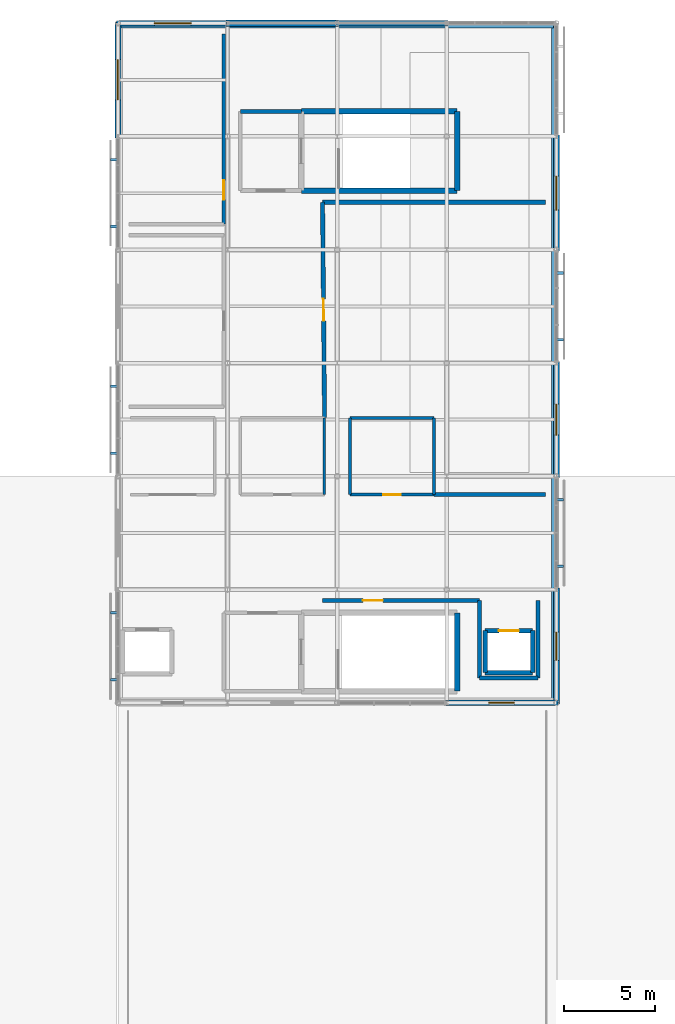
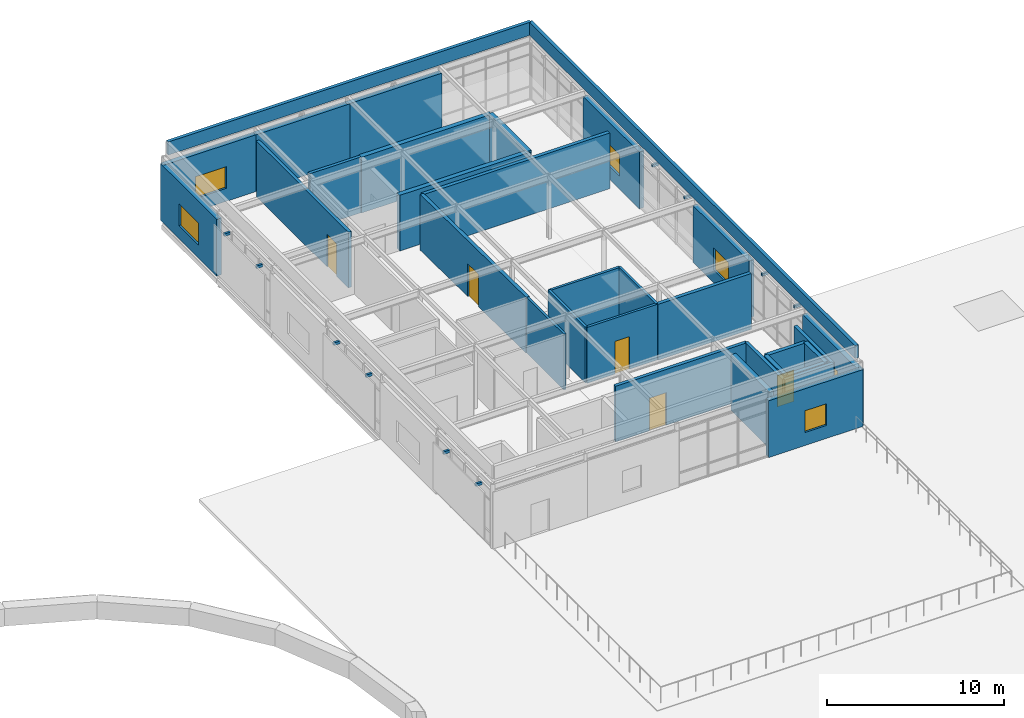
# One storey, part 14 of 16: 32 walls, 10 discrete accessories, 6 windows, 5 doors, 11 openings.
"""IFC4 building model written with IfcOpenShell, lengths in metres."""

from ifc_helpers import new_model, si_unit, direction, frame, frame_2d, origin, origin_2d, place, context, subcontext, project, spatial, rectangle, extrude, material, layer, layer_set, type_object, element, fill, save


model = new_model("IFC4")

# Units and contexts
model_context = context("Model", 3, precision=1e-05, world=origin(), true_north=direction((0.0, 1.0)))
body_context = subcontext(model_context, "Body", "Model", "MODEL_VIEW")
ifc_project = project(units=[si_unit("LENGTHUNIT", "METRE"), si_unit("AREAUNIT", "SQUARE_METRE"), si_unit("VOLUMEUNIT", "CUBIC_METRE"), si_unit("PLANEANGLEUNIT", "RADIAN"), si_unit("MASSUNIT", "GRAM", prefix="KILO")], contexts=[model_context])

# Site, building, storey
site_placement = place(None, origin())
site = spatial("IfcSite", under=ifc_project, at=site_placement, CompositionType="ELEMENT")
building_placement = place(site_placement, origin())
building = spatial("IfcBuilding", under=site, at=building_placement, Name="Mirzam Square Science Centre", CompositionType="ELEMENT")
storey_placement = place(building_placement, frame((0.0, 0.0, 25.199951171875)))
storey = spatial("IfcBuildingStorey", under=building, at=storey_placement, Name="L05", CompositionType="ELEMENT", Elevation=25.199951171875)

# Walls
ifc_material_1 = material(Name="Concrete C45/55", Category="concrete")
ifc_layer_1 = layer(ifc_material_1, 0.300048828125)
ifc_layer_set_1 = layer_set([ifc_layer_1], Name="W-CORE-300")
wall_type_1 = type_object("IfcWallType", Name="W-CORE-300", PredefinedType="SHEAR", material=ifc_layer_set_1)
wall_1_placement = place(storey_placement, frame((132.56005859375, 75.0400390625, 0.0), z_axis=(0.0, 0.0, 1.0), x_axis=(0.0, 1.0, 0.0)))
element("IfcWall", 1, at=wall_1_placement, inside=storey, type_object=wall_type_1, Name="L05 CORE-4 east wall", PredefinedType="SHEAR", context=body_context, shape_type="SweptSolid", body=[
    extrude(rectangle(XDim=4.2900390625, YDim=0.300048828125, at=frame_2d((2.14501953125, 0.0))), origin(), (0.0, 0.0, 1.0), 3.85009765625),
])
for number, where, z_axis, x_axis, name in (
    (2, (124.0400390625, 102.43994140625, 0.0), (0.0, 0.0, 1.0), (1.0, 0.0, 0.0), "L05 CORE-7 south wall"),
    (3, (132.56005859375, 106.77001953125, 0.0), (0.0, 0.0, 1.0), (-1.0, 0.0, 0.0), "L05 CORE-7 north wall"),
):
    element("IfcWall", number, at=place(storey_placement, frame(where, z_axis=z_axis, x_axis=x_axis)), inside=storey, type_object=wall_type_1, Name=name, PredefinedType="SHEAR", context=body_context, shape_type="SweptSolid", body=[
        extrude(rectangle(XDim=8.52001953125, YDim=0.300048828125, at=frame_2d((4.260009765625, 0.0))), origin(), (0.0, 0.0, 1.0), 3.85009765625),
    ])
wall_2_placement = place(storey_placement, frame((132.56005859375, 102.43994140625, 0.0), z_axis=(0.0, 0.0, 1.0), x_axis=(0.0, 1.0, 0.0)))
element("IfcWall", 4, at=wall_2_placement, inside=storey, type_object=wall_type_1, Name="L05 CORE-7 east wall", PredefinedType="SHEAR", context=body_context, shape_type="SweptSolid", body=[
    extrude(rectangle(XDim=4.330078125, YDim=0.300048828125, at=frame_2d((2.1650390625, 0.0))), origin(), (0.0, 0.0, 1.0), 3.85009765625),
])
ifc_material_2 = material(Name="Standing-Seam Zinc-Clad Concrete Backup C40/50", Category="concrete")
ifc_layer_2 = layer(ifc_material_2, 0.35009765625)
ifc_layer_set_2 = layer_set([ifc_layer_2], Name="W-EXT-METAL-350")
wall_type_2 = type_object("IfcWallType", Name="W-EXT-METAL-350", PredefinedType="SOLIDWALL", material=ifc_layer_set_2)
wall_3_placement = place(storey_placement, frame((126.074951171875, 111.60009765625, 0.0), z_axis=(0.0, 0.0, 1.0), x_axis=(-1.0, 0.0, 0.0)))
element("IfcWall", 5, at=wall_3_placement, inside=storey, type_object=wall_type_2, Name="L05 external wall EW-EST-N-L05-03", PredefinedType="SOLIDWALL", context=body_context, shape_type="SweptSolid", body=[
    extrude(rectangle(XDim=6.14990234375, YDim=0.35009765625, at=frame_2d((3.074951171875, 0.0))), origin(), (0.0, 0.0, 1.0), 3.920166015625),
])

# Wall, opening, window
ifc_material_3 = material(Name="Insulated Observatory Cladding Concrete C40/50", Category="concrete")
ifc_layer_3 = layer(ifc_material_3, 0.31494140625)
ifc_layer_set_3 = layer_set([ifc_layer_3], Name="W-EXT-OBS-315")
wall_type_3 = type_object("IfcWallType", Name="W-EXT-OBS-315", PredefinedType="SOLIDWALL", material=ifc_layer_set_3)
wall_4_placement = place(storey_placement, frame((131.925048828125, 74.39990234375, 0.0), z_axis=(0.0, 0.0, 1.0), x_axis=(1.0, 0.0, 0.0)))
wall_4 = element("IfcWall", 6, at=wall_4_placement, inside=storey, type_object=wall_type_3, Name="L05 external wall EW-EST-S-L05-04", PredefinedType="SOLIDWALL", context=body_context, shape_type="SweptSolid", body=[
    extrude(rectangle(XDim=6.14990234375, YDim=0.31494140625, at=frame_2d((3.074951171875, 0.0))), origin(), (0.0, 0.0, 1.0), 3.920166015625),
])
opening_1_placement = place(wall_4_placement, frame((2.375, 0.0, 0.89990234375)))
opening_1 = element("IfcOpeningElement", 7, at=opening_1_placement, cuts=wall_4, Name="Opening W-14", PredefinedType="OPENING", context=body_context, shape_type="SweptSolid", body=[
    extrude(rectangle(XDim=1.39990234375, YDim=1.5, at=frame_2d((0.699951171875, 0.75))), frame((0.0, 0.16748046875, 0.0), z_axis=(0.0, -1.0, 0.0), x_axis=(1.0, 0.0, 0.0)), (0.0, 0.0, 1.0), 0.3349609375),
])
ifc_material_4 = material(Name="Thermally Broken Bronze Aluminium and Low-E Glass", Category="aluminium")
window_type_1 = type_object("IfcWindowType", Name="WIN-1400x1500", PartitioningType="SINGLE_PANEL", PredefinedType="WINDOW", material=ifc_material_4)
window_1_placement = place(opening_1_placement, origin())
window_1 = element("IfcWindow", 8, at=window_1_placement, inside=storey, type_object=window_type_1, Name="L05 solar window 102", OverallHeight=1.5, OverallWidth=1.39990234375, PartitioningType="SINGLE_PANEL", PredefinedType="WINDOW", context=body_context, shape_type="SweptSolid", body=[
    extrude(rectangle(XDim=1.39990234375, YDim=1.5, at=frame_2d((0.699951171875, 0.75))), frame((0.0, 0.030029296875, 0.0), z_axis=(0.0, -1.0, 0.0), x_axis=(1.0, 0.0, 0.0)), (0.0, 0.0, 1.0), 0.06005859375),
])
fill(opening_1, window_1)

wall_5_placement = place(storey_placement, frame((138.0, 74.324951171875, 0.0), z_axis=(0.0, 0.0, 1.0), x_axis=(0.0, 1.0, 0.0)))
wall_5 = element("IfcWall", 9, at=wall_5_placement, inside=storey, type_object=wall_type_3, Name="L05 external wall EW-EST-E-L05-01", PredefinedType="SOLIDWALL", context=body_context, shape_type="SweptSolid", body=[
    extrude(rectangle(XDim=6.35009765625, YDim=0.31494140625, at=frame_2d((3.175048828125, 0.0))), origin(), (0.0, 0.0, 1.0), 3.920166015625),
])
opening_2_placement = place(wall_5_placement, frame((2.39990234375, 0.0, 0.89990234375)))
opening_2 = element("IfcOpeningElement", 10, at=opening_2_placement, cuts=wall_5, Name="Opening W-15", PredefinedType="OPENING", context=body_context, shape_type="SweptSolid", body=[
    extrude(rectangle(XDim=1.550048828125, YDim=1.5, at=frame_2d((0.77490234375, 0.75))), frame((0.0, 0.16748046875, 0.0), z_axis=(0.0, -1.0, 0.0), x_axis=(1.0, 0.0, 0.0)), (0.0, 0.0, 1.0), 0.3349609375),
])
window_type_2 = type_object("IfcWindowType", Name="WIN-1550x1500", PartitioningType="SINGLE_PANEL", PredefinedType="WINDOW", material=ifc_material_4)
window_2_placement = place(opening_2_placement, origin())
window_2 = element("IfcWindow", 11, at=window_2_placement, inside=storey, type_object=window_type_2, Name="L05 solar window 103", OverallHeight=1.5, OverallWidth=1.550048828125, PartitioningType="SINGLE_PANEL", PredefinedType="WINDOW", context=body_context, shape_type="SweptSolid", body=[
    extrude(rectangle(XDim=1.550048828125, YDim=1.5, at=frame_2d((0.77490234375, 0.75))), frame((0.0, 0.030029296875, 0.0), z_axis=(0.0, -1.0, 0.0), x_axis=(1.0, 0.0, 0.0)), (0.0, 0.0, 1.0), 0.06005859375),
])
fill(opening_2, window_2)

wall_6_placement = place(storey_placement, frame((138.0, 86.72509765625, 0.0), z_axis=(0.0, 0.0, 1.0), x_axis=(0.0, 1.0, 0.0)))
wall_6 = element("IfcWall", 12, at=wall_6_placement, inside=storey, type_object=wall_type_3, Name="L05 external wall EW-EST-E-L05-03", PredefinedType="SOLIDWALL", context=body_context, shape_type="SweptSolid", body=[
    extrude(rectangle(XDim=6.349853515625, YDim=0.31494140625, at=frame_2d((3.1748046875, 0.0))), origin(), (0.0, 0.0, 1.0), 3.920166015625),
])
opening_3_placement = place(wall_6_placement, frame((2.324951171875, 0.0, 0.89990234375)))
opening_3 = element("IfcOpeningElement", 13, at=opening_3_placement, cuts=wall_6, Name="Opening W-16", PredefinedType="OPENING", context=body_context, shape_type="SweptSolid", body=[
    extrude(rectangle(XDim=1.699951171875, YDim=1.5, at=frame_2d((0.85009765625, 0.75))), frame((0.0, 0.16748046875, 0.0), z_axis=(0.0, -1.0, 0.0), x_axis=(1.0, 0.0, 0.0)), (0.0, 0.0, 1.0), 0.3349609375),
])
window_type_3 = type_object("IfcWindowType", Name="WIN-1700x1500", PartitioningType="SINGLE_PANEL", PredefinedType="WINDOW", material=ifc_material_4)
window_3_placement = place(opening_3_placement, origin())
window_3 = element("IfcWindow", 14, at=window_3_placement, inside=storey, type_object=window_type_3, Name="L05 solar window 104", OverallHeight=1.5, OverallWidth=1.699951171875, PartitioningType="SINGLE_PANEL", PredefinedType="WINDOW", context=body_context, shape_type="SweptSolid", body=[
    extrude(rectangle(XDim=1.699951171875, YDim=1.5, at=frame_2d((0.85009765625, 0.75))), frame((0.0, 0.030029296875, 0.0), z_axis=(0.0, -1.0, 0.0), x_axis=(1.0, 0.0, 0.0)), (0.0, 0.0, 1.0), 0.06005859375),
])
fill(opening_3, window_3)

wall_7_placement = place(storey_placement, frame((138.0, 99.125, 0.0), z_axis=(0.0, 0.0, 1.0), x_axis=(0.0, 1.0, 0.0)))
wall_7 = element("IfcWall", 15, at=wall_7_placement, inside=storey, type_object=wall_type_3, Name="L05 external wall EW-EST-E-L05-05", PredefinedType="SOLIDWALL", context=body_context, shape_type="SweptSolid", body=[
    extrude(rectangle(XDim=6.35009765625, YDim=0.31494140625, at=frame_2d((3.175048828125, 0.0))), origin(), (0.0, 0.0, 1.0), 3.920166015625),
])
opening_4_placement = place(wall_7_placement, frame((2.25, 0.0, 0.89990234375)))
opening_4 = element("IfcOpeningElement", 16, at=opening_4_placement, cuts=wall_7, Name="Opening W-17", PredefinedType="OPENING", context=body_context, shape_type="SweptSolid", body=[
    extrude(rectangle(XDim=1.85009765625, YDim=1.5, at=frame_2d((0.925048828125, 0.75))), frame((0.0, 0.16748046875, 0.0), z_axis=(0.0, -1.0, 0.0), x_axis=(1.0, 0.0, 0.0)), (0.0, 0.0, 1.0), 0.3349609375),
])
window_type_4 = type_object("IfcWindowType", Name="WIN-1850x1500", PartitioningType="DOUBLE_PANEL_VERTICAL", PredefinedType="WINDOW", material=ifc_material_4)
window_4_placement = place(opening_4_placement, origin())
window_4 = element("IfcWindow", 17, at=window_4_placement, inside=storey, type_object=window_type_4, Name="L05 solar window 105", OverallHeight=1.5, OverallWidth=1.85009765625, PartitioningType="DOUBLE_PANEL_VERTICAL", PredefinedType="WINDOW", context=body_context, shape_type="SweptSolid", body=[
    extrude(rectangle(XDim=1.85009765625, YDim=1.5, at=frame_2d((0.925048828125, 0.75))), frame((0.0, 0.030029296875, 0.0), z_axis=(0.0, -1.0, 0.0), x_axis=(1.0, 0.0, 0.0)), (0.0, 0.0, 1.0), 0.06005859375),
])
fill(opening_4, window_4)

# Wall
wall_8_placement = place(storey_placement, frame((132.074951171875, 111.60009765625, 0.0), z_axis=(0.0, 0.0, 1.0), x_axis=(-1.0, 0.0, 0.0)))
element("IfcWall", 18, at=wall_8_placement, inside=storey, type_object=wall_type_3, Name="L05 external wall EW-EST-N-L05-02", PredefinedType="SOLIDWALL", context=body_context, shape_type="SweptSolid", body=[
    extrude(rectangle(XDim=6.14990234375, YDim=0.31494140625, at=frame_2d((3.074951171875, 0.0))), origin(), (0.0, 0.0, 1.0), 3.920166015625),
])

# Wall, opening, window
wall_9_placement = place(storey_placement, frame((120.074951171875, 111.60009765625, 0.0), z_axis=(0.0, 0.0, 1.0), x_axis=(-1.0, 0.0, 0.0)))
wall_9 = element("IfcWall", 19, at=wall_9_placement, inside=storey, type_object=wall_type_3, Name="L05 external wall EW-EST-N-L05-04", PredefinedType="SOLIDWALL", context=body_context, shape_type="SweptSolid", body=[
    extrude(rectangle(XDim=6.14990234375, YDim=0.31494140625, at=frame_2d((3.074951171875, 0.0))), origin(), (0.0, 0.0, 1.0), 3.920166015625),
])
opening_5_placement = place(wall_9_placement, frame((2.074951171875, 0.0, 0.89990234375)))
opening_5 = element("IfcOpeningElement", 20, at=opening_5_placement, cuts=wall_9, Name="Opening W-18", PredefinedType="OPENING", context=body_context, shape_type="SweptSolid", body=[
    extrude(rectangle(XDim=2.0, YDim=1.5, at=frame_2d((1.0, 0.75))), frame((0.0, 0.16748046875, 0.0), z_axis=(0.0, -1.0, 0.0), x_axis=(1.0, 0.0, 0.0)), (0.0, 0.0, 1.0), 0.3349609375),
])
window_type_5 = type_object("IfcWindowType", Name="WIN-2000x1500", PartitioningType="DOUBLE_PANEL_VERTICAL", PredefinedType="WINDOW", material=ifc_material_4)
window_5_placement = place(opening_5_placement, origin())
window_5 = element("IfcWindow", 21, at=window_5_placement, inside=storey, type_object=window_type_5, Name="L05 solar window 106", OverallHeight=1.5, OverallWidth=2.0, PartitioningType="DOUBLE_PANEL_VERTICAL", PredefinedType="WINDOW", context=body_context, shape_type="SweptSolid", body=[
    extrude(rectangle(XDim=2.0, YDim=1.5, at=frame_2d((1.0, 0.75))), frame((0.0, 0.030029296875, 0.0), z_axis=(0.0, -1.0, 0.0), x_axis=(1.0, 0.0, 0.0)), (0.0, 0.0, 1.0), 0.06005859375),
])
fill(opening_5, window_5)

wall_10_placement = place(storey_placement, frame((114.0, 111.675048828125, 0.0), z_axis=(0.0, 0.0, 1.0), x_axis=(0.0, -1.0, 0.0)))
wall_10 = element("IfcWall", 22, at=wall_10_placement, inside=storey, type_object=wall_type_3, Name="L05 external wall EW-EST-W-L05-01", PredefinedType="SOLIDWALL", context=body_context, shape_type="SweptSolid", body=[
    extrude(rectangle(XDim=6.35009765625, YDim=0.31494140625, at=frame_2d((3.175048828125, 0.0))), origin(), (0.0, 0.0, 1.0), 3.920166015625),
])
opening_6_placement = place(wall_10_placement, frame((2.074951171875, 0.0, 0.89990234375)))
opening_6 = element("IfcOpeningElement", 23, at=opening_6_placement, cuts=wall_10, Name="Opening W-19", PredefinedType="OPENING", context=body_context, shape_type="SweptSolid", body=[
    extrude(rectangle(XDim=2.199951171875, YDim=1.5, at=frame_2d((1.10009765625, 0.75))), frame((0.0, 0.16748046875, 0.0), z_axis=(0.0, -1.0, 0.0), x_axis=(1.0, 0.0, 0.0)), (0.0, 0.0, 1.0), 0.3349609375),
])
window_type_6 = type_object("IfcWindowType", Name="WIN-2200x1500", PartitioningType="DOUBLE_PANEL_VERTICAL", PredefinedType="WINDOW", material=ifc_material_4)
window_6_placement = place(opening_6_placement, origin())
window_6 = element("IfcWindow", 24, at=window_6_placement, inside=storey, type_object=window_type_6, Name="L05 solar window 107", OverallHeight=1.5, OverallWidth=2.199951171875, PartitioningType="DOUBLE_PANEL_VERTICAL", PredefinedType="WINDOW", context=body_context, shape_type="SweptSolid", body=[
    extrude(rectangle(XDim=2.199951171875, YDim=1.5, at=frame_2d((1.10009765625, 0.75))), frame((0.0, 0.030029296875, 0.0), z_axis=(0.0, -1.0, 0.0), x_axis=(1.0, 0.0, 0.0)), (0.0, 0.0, 1.0), 0.06005859375),
])
fill(opening_6, window_6)

# Walls
ifc_layer_4 = layer(ifc_material_1, 0.199951171875)
ifc_layer_set_4 = layer_set([ifc_layer_4], Name="W-LOBBY-200")
wall_type_4 = type_object("IfcWallType", Name="W-LOBBY-200", PredefinedType="SHEAR", material=ifc_layer_set_4)
wall_11_placement = place(storey_placement, frame((124.0400390625, 106.77001953125, 0.0), z_axis=(0.0, 0.0, 1.0), x_axis=(-1.0, 0.0, 0.0)))
element("IfcWall", 25, at=wall_11_placement, inside=storey, type_object=wall_type_4, Name="L05 CORE-7 lobby north wall", PredefinedType="SHEAR", context=body_context, shape_type="SweptSolid", body=[
    extrude(rectangle(XDim=3.340087890625, YDim=0.199951171875, at=frame_2d((1.669921875, 0.0))), origin(), (0.0, 0.0, 1.0), 3.85009765625),
])
ifc_material_5 = material(Name="GFRC Coping Parapet Concrete C40/50", Category="concrete")
ifc_layer_5 = layer(ifc_material_5, 0.2099609375)
ifc_layer_set_5 = layer_set([ifc_layer_5], Name="W-PARAPET-210")
wall_type_5 = type_object("IfcWallType", Name="W-PARAPET-210", PredefinedType="PARAPET", material=ifc_layer_set_5)
wall_12_placement = place(storey_placement, frame((137.85009765625, 74.550048828125, 4.60009765625), z_axis=(0.0, 0.0, 1.0), x_axis=(0.0, 1.0, 0.0)))
element("IfcWall", 26, at=wall_12_placement, inside=storey, type_object=wall_type_5, Name="OBS-ROOF perimeter parapet 2", PredefinedType="PARAPET", context=body_context, shape_type="SweptSolid", body=[
    extrude(rectangle(XDim=36.89990234375, YDim=0.2099609375, at=frame_2d((18.449951171875, 0.0))), origin(), (0.0, 0.0, 1.0), 0.89990234375),
])
wall_13_placement = place(storey_placement, frame((137.85009765625, 111.449951171875, 4.60009765625), z_axis=(0.0, 0.0, 1.0), x_axis=(-1.0, 0.0, 0.0)))
element("IfcWall", 27, at=wall_13_placement, inside=storey, type_object=wall_type_5, Name="OBS-ROOF perimeter parapet 3", PredefinedType="PARAPET", context=body_context, shape_type="SweptSolid", body=[
    extrude(rectangle(XDim=23.7001953125, YDim=0.2099609375, at=frame_2d((11.85009765625, 0.0))), origin(), (0.0, 0.0, 1.0), 0.89990234375),
])
ifc_material_6 = material(Name="Laboratory Acoustic Partition", Category="gypsum")
ifc_layer_6 = layer(ifc_material_6, 0.14990234375)
ifc_layer_set_6 = layer_set([ifc_layer_6], Name="W-PART-150")
wall_type_6 = type_object("IfcWallType", Name="W-PART-150", PredefinedType="PARTITIONING", material=ifc_layer_set_6)
wall_14_placement = place(storey_placement, frame((125.300048828125, 90.0, 0.0), z_axis=(0.0, 0.0, 1.0), x_axis=(0.0, -1.0, 0.0)))
element("IfcWall", 28, at=wall_14_placement, inside=storey, type_object=wall_type_6, Name="L05 Female WC L05 partition 305", PredefinedType="PARTITIONING", context=body_context, shape_type="SweptSolid", body=[
    extrude(rectangle(XDim=4.199951171875, YDim=0.14990234375, at=frame_2d((2.10009765625, 0.0))), origin(), (0.0, 0.0, 1.0), 3.85009765625),
])
ifc_material_7 = material(Name="Wet-Area Moisture-Resistant Partition", Category="gypsum")
ifc_layer_7 = layer(ifc_material_7, 0.1650390625)
ifc_layer_set_7 = layer_set([ifc_layer_7], Name="W-PART-165")
wall_type_7 = type_object("IfcWallType", Name="W-PART-165", PredefinedType="PARTITIONING", material=ifc_layer_set_7)
wall_15_placement = place(storey_placement, frame((126.699951171875, 90.0, 0.0), z_axis=(0.0, 0.0, 1.0), x_axis=(1.0, 0.0, 0.0)))
element("IfcWall", 29, at=wall_15_placement, inside=storey, type_object=wall_type_7, Name="L05 Accessible WC L05 partition 308", PredefinedType="PARTITIONING", context=body_context, shape_type="SweptSolid", body=[
    extrude(rectangle(XDim=4.60009765625, YDim=0.1650390625, at=frame_2d((2.300048828125, 0.0))), origin(), (0.0, 0.0, 1.0), 3.85009765625),
])
wall_16_placement = place(storey_placement, frame((131.300048828125, 90.0, 0.0), z_axis=(0.0, 0.0, 1.0), x_axis=(0.0, -1.0, 0.0)))
element("IfcWall", 30, at=wall_16_placement, inside=storey, type_object=wall_type_7, Name="L05 Accessible WC L05 partition 309", PredefinedType="PARTITIONING", context=body_context, shape_type="SweptSolid", body=[
    extrude(rectangle(XDim=4.199951171875, YDim=0.1650390625, at=frame_2d((2.10009765625, 0.0))), origin(), (0.0, 0.0, 1.0), 3.85009765625),
])

# Wall, opening, door
wall_17_placement = place(storey_placement, frame((131.300048828125, 85.800048828125, 0.0), z_axis=(0.0, 0.0, 1.0), x_axis=(-1.0, 0.0, 0.0)))
wall_17 = element("IfcWall", 31, at=wall_17_placement, inside=storey, type_object=wall_type_7, Name="L05 Accessible WC L05 partition 310", PredefinedType="PARTITIONING", context=body_context, shape_type="SweptSolid", body=[
    extrude(rectangle(XDim=4.60009765625, YDim=0.1650390625, at=frame_2d((2.300048828125, 0.0))), origin(), (0.0, 0.0, 1.0), 3.85009765625),
])
opening_7_placement = place(wall_17_placement, frame((1.824951171875, 0.0, 0.0)))
opening_7 = element("IfcOpeningElement", 32, at=opening_7_placement, cuts=wall_17, Name="Opening D-14", PredefinedType="OPENING", context=body_context, shape_type="SweptSolid", body=[
    extrude(rectangle(XDim=0.949951171875, YDim=2.25, at=frame_2d((0.47509765625, 1.125))), frame((0.0, 0.092529296875, 0.0), z_axis=(0.0, -1.0, 0.0), x_axis=(1.0, 0.0, 0.0)), (0.0, 0.0, 1.0), 0.18505859375),
])
ifc_material_8 = material(Name="Solid Core Acoustic Oak Timber Door", Category="wood")
door_type_1 = type_object("IfcDoorType", Name="DR-INT-950x2250", OperationType="NOTDEFINED", PredefinedType="DOOR", material=ifc_material_8)
door_1_placement = place(opening_7_placement, origin())
door_1 = element("IfcDoor", 33, at=door_1_placement, inside=storey, type_object=door_type_1, Name="ID-L05-0085", OperationType="SINGLE_SWING_RIGHT", OverallHeight=2.25, OverallWidth=0.949951171875, PredefinedType="DOOR", context=body_context, shape_type="SweptSolid", body=[
    extrude(rectangle(XDim=0.949951171875, YDim=2.25, at=frame_2d((0.47509765625, 1.125))), frame((0.0, 0.02490234375, 0.0), z_axis=(0.0, -1.0, 0.0), x_axis=(1.0, 0.0, 0.0)), (0.0, 0.0, 1.0), 0.050048828125),
])
fill(opening_7, door_1)

# Wall
wall_18_placement = place(storey_placement, frame((126.699951171875, 85.800048828125, 0.0), z_axis=(0.0, 0.0, 1.0), x_axis=(0.0, 1.0, 0.0)))
element("IfcWall", 34, at=wall_18_placement, inside=storey, type_object=wall_type_7, Name="L05 Accessible WC L05 partition 311", PredefinedType="PARTITIONING", context=body_context, shape_type="SweptSolid", body=[
    extrude(rectangle(XDim=4.199951171875, YDim=0.1650390625, at=frame_2d((2.10009765625, 0.0))), origin(), (0.0, 0.0, 1.0), 3.85009765625),
])

# Wall, opening, door
ifc_material_9 = material(Name="Fire-Rated Corridor Blockwork Concrete C30/37", Category="masonry")
ifc_layer_8 = layer(ifc_material_9, 0.199951171875)
ifc_layer_set_8 = layer_set([ifc_layer_8], Name="W-PART-200")
wall_type_8 = type_object("IfcWallType", Name="W-PART-200", PredefinedType="PARTITIONING", material=ifc_layer_set_8)
wall_19_placement = place(storey_placement, frame((119.800048828125, 111.0, 0.0), z_axis=(0.0, 0.0, 1.0), x_axis=(0.0, -1.0, 0.0)))
wall_19 = element("IfcWall", 35, at=wall_19_placement, inside=storey, type_object=wall_type_8, Name="L05 Solar and Optical Spectroscopy Laboratory partition 315", PredefinedType="PARTITIONING", context=body_context, shape_type="SweptSolid", body=[
    extrude(rectangle(XDim=10.39990234375, YDim=0.199951171875, at=frame_2d((5.199951171875, 0.0))), origin(), (0.0, 0.0, 1.0), 3.85009765625),
])
opening_8_placement = place(wall_19_placement, frame((8.0029296875, 0.0, 0.0)))
opening_8 = element("IfcOpeningElement", 36, at=opening_8_placement, cuts=wall_19, Name="Opening D-16", PredefinedType="OPENING", context=body_context, shape_type="SweptSolid", body=[
    extrude(rectangle(XDim=1.050048828125, YDim=2.25, at=frame_2d((0.52490234375, 1.125))), frame((0.0, 0.10986328125, 0.0), z_axis=(0.0, -1.0, 0.0), x_axis=(1.0, 0.0, 0.0)), (0.0, 0.0, 1.0), 0.219970703125),
])
door_type_2 = type_object("IfcDoorType", Name="DR-INT-1050x2250", OperationType="NOTDEFINED", PredefinedType="DOOR", material=ifc_material_8)
door_2_placement = place(opening_8_placement, origin())
door_2 = element("IfcDoor", 37, at=door_2_placement, inside=storey, type_object=door_type_2, Name="ID-L05-0087", OperationType="SINGLE_SWING_RIGHT", OverallHeight=2.25, OverallWidth=1.050048828125, PredefinedType="DOOR", context=body_context, shape_type="SweptSolid", body=[
    extrude(rectangle(XDim=1.050048828125, YDim=2.25, at=frame_2d((0.52490234375, 1.125))), frame((0.0, 0.02490234375, 0.0), z_axis=(0.0, -1.0, 0.0), x_axis=(1.0, 0.0, 0.0)), (0.0, 0.0, 1.0), 0.050048828125),
])
fill(opening_8, door_2)

ifc_material_10 = material(Name="Chemical Prep Fire Partition Concrete C30/37", Category="concrete")
ifc_layer_9 = layer(ifc_material_10, 0.215087890625)
ifc_layer_set_9 = layer_set([ifc_layer_9], Name="W-PART-215")
wall_type_9 = type_object("IfcWallType", Name="W-PART-215", PredefinedType="PARTITIONING", material=ifc_layer_set_9)
wall_20_placement = place(storey_placement, frame((125.199951171875, 80.0, 0.0), z_axis=(0.0, 0.0, 1.0), x_axis=(1.0, 0.0, 0.0)))
wall_20 = element("IfcWall", 38, at=wall_20_placement, inside=storey, type_object=wall_type_9, Name="L05 Telescope Calibration and Astrophotography Workshop partition 317", PredefinedType="PARTITIONING", context=body_context, shape_type="SweptSolid", body=[
    extrude(rectangle(XDim=8.60009765625, YDim=0.215087890625, at=frame_2d((4.300048828125, 0.0))), origin(), (0.0, 0.0, 1.0), 3.85009765625),
])
opening_9_placement = place(wall_20_placement, frame((2.201904296875, 0.0, 0.0)))
opening_9 = element("IfcOpeningElement", 39, at=opening_9_placement, cuts=wall_20, Name="Opening D-17", PredefinedType="OPENING", context=body_context, shape_type="SweptSolid", body=[
    extrude(rectangle(XDim=1.10009765625, YDim=2.25, at=frame_2d((0.550048828125, 1.125))), frame((0.0, 0.117431640625, 0.0), z_axis=(0.0, -1.0, 0.0), x_axis=(1.0, 0.0, 0.0)), (0.0, 0.0, 1.0), 0.235107421875),
])
door_type_3 = type_object("IfcDoorType", Name="DR-INT-1100x2250", OperationType="NOTDEFINED", PredefinedType="DOOR", material=ifc_material_8)
door_3_placement = place(opening_9_placement, origin())
door_3 = element("IfcDoor", 40, at=door_3_placement, inside=storey, type_object=door_type_3, Name="ID-L05-0088", OperationType="SINGLE_SWING_LEFT", OverallHeight=2.25, OverallWidth=1.10009765625, PredefinedType="DOOR", context=body_context, shape_type="SweptSolid", body=[
    extrude(rectangle(XDim=1.10009765625, YDim=2.25, at=frame_2d((0.550048828125, 1.125))), frame((0.0, 0.02490234375, 0.0), z_axis=(0.0, -1.0, 0.0), x_axis=(1.0, 0.0, 0.0)), (0.0, 0.0, 1.0), 0.050048828125),
])
fill(opening_9, door_3)

# Walls
wall_21_placement = place(storey_placement, frame((133.800048828125, 80.0, 0.0), z_axis=(0.0, 0.0, 1.0), x_axis=(0.0, -1.0, 0.0)))
element("IfcWall", 41, at=wall_21_placement, inside=storey, type_object=wall_type_9, Name="L05 Telescope Calibration and Astrophotography Workshop partition 318", PredefinedType="PARTITIONING", context=body_context, shape_type="SweptSolid", body=[
    extrude(rectangle(XDim=4.25, YDim=0.215087890625, at=frame_2d((2.125, 0.0))), origin(), (0.0, 0.0, 1.0), 3.85009765625),
])
wall_22_placement = place(storey_placement, frame((133.800048828125, 75.75, 0.0), z_axis=(0.0, 0.0, 1.0), x_axis=(1.0, 0.0, 0.0)))
element("IfcWall", 42, at=wall_22_placement, inside=storey, type_object=wall_type_9, Name="L05 Telescope Calibration and Astrophotography Workshop partition 319", PredefinedType="PARTITIONING", context=body_context, shape_type="SweptSolid", body=[
    extrude(rectangle(XDim=3.199951171875, YDim=0.215087890625, at=frame_2d((1.60009765625, 0.0))), origin(), (0.0, 0.0, 1.0), 3.85009765625),
])
wall_23_placement = place(storey_placement, frame((137.0, 75.75, 0.0), z_axis=(0.0, 0.0, 1.0), x_axis=(0.0, 1.0, 0.0)))
element("IfcWall", 43, at=wall_23_placement, inside=storey, type_object=wall_type_9, Name="L05 Telescope Calibration and Astrophotography Workshop partition 320", PredefinedType="PARTITIONING", context=body_context, shape_type="SweptSolid", body=[
    extrude(rectangle(XDim=4.25, YDim=0.215087890625, at=frame_2d((2.125, 0.0))), origin(), (0.0, 0.0, 1.0), 3.85009765625),
])

# Wall, opening, door
ifc_material_11 = material(Name="Gallery Display Backing Wall Concrete C30/37", Category="concrete")
ifc_layer_10 = layer(ifc_material_11, 0.22998046875)
ifc_layer_set_10 = layer_set([ifc_layer_10], Name="W-PART-230")
wall_type_10 = type_object("IfcWallType", Name="W-PART-230", PredefinedType="PARTITIONING", material=ifc_layer_set_10)
wall_24_placement = place(storey_placement, frame((125.31005859375, 90.010009765625, 0.0), z_axis=(0.0, 0.0, 1.0), x_axis=(-0.00933861372, 0.999956394196, 0.0)))
wall_24 = element("IfcWall", 44, at=wall_24_placement, inside=storey, type_object=wall_type_10, Name="L05 Celestial Navigation Exhibition and Seminar Hall partition 321", PredefinedType="PARTITIONING", context=body_context, shape_type="SweptSolid", body=[
    extrude(rectangle(XDim=11.79052734375, YDim=0.22998046875, at=frame_2d((5.895263671875, 0.0))), origin(), (0.0, 0.0, 1.0), 3.85009765625),
])
opening_10_placement = place(wall_24_placement, frame((5.29541015625, 0.0, 0.0)))
opening_10 = element("IfcOpeningElement", 45, at=opening_10_placement, cuts=wall_24, Name="Opening D-18", PredefinedType="OPENING", context=body_context, shape_type="SweptSolid", body=[
    extrude(rectangle(XDim=1.199951171875, YDim=2.25, at=frame_2d((0.60009765625, 1.125))), frame((0.0, 0.125, 0.0), z_axis=(0.0, -1.0, 0.0), x_axis=(1.0, 0.0, 0.0)), (0.0, 0.0, 1.0), 0.25),
])
door_type_4 = type_object("IfcDoorType", Name="DR-INT-1200x2250", OperationType="NOTDEFINED", PredefinedType="DOOR", material=ifc_material_8)
door_4_placement = place(opening_10_placement, origin())
door_4 = element("IfcDoor", 46, at=door_4_placement, inside=storey, type_object=door_type_4, Name="ID-L05-0089", OperationType="SINGLE_SWING_RIGHT", OverallHeight=2.25, OverallWidth=1.199951171875, PredefinedType="DOOR", context=body_context, shape_type="SweptSolid", body=[
    extrude(rectangle(XDim=1.199951171875, YDim=2.25, at=frame_2d((0.60009765625, 1.125))), frame((0.0, 0.02490234375, 0.0), z_axis=(0.0, -1.0, 0.0), x_axis=(1.0, 0.0, 0.0)), (0.0, 0.0, 1.0), 0.050048828125),
])
fill(opening_10, door_4)

# Walls
wall_25_placement = place(storey_placement, frame((125.199951171875, 101.800048828125, 0.0), z_axis=(0.0, 0.0, 1.0), x_axis=(1.0, 0.0, 0.0)))
element("IfcWall", 47, at=wall_25_placement, inside=storey, type_object=wall_type_10, Name="L05 Celestial Navigation Exhibition and Seminar Hall partition 322", PredefinedType="PARTITIONING", context=body_context, shape_type="SweptSolid", body=[
    extrude(rectangle(XDim=12.199951171875, YDim=0.22998046875, at=frame_2d((6.10009765625, 0.0))), origin(), (0.0, 0.0, 1.0), 3.85009765625),
])
wall_26_placement = place(storey_placement, frame((137.39990234375, 85.800048828125, 0.0), z_axis=(0.0, 0.0, 1.0), x_axis=(-1.0, 0.0, 0.0)))
element("IfcWall", 48, at=wall_26_placement, inside=storey, type_object=wall_type_10, Name="L05 Celestial Navigation Exhibition and Seminar Hall partition 323", PredefinedType="PARTITIONING", context=body_context, shape_type="SweptSolid", body=[
    extrude(rectangle(XDim=6.08984375, YDim=0.22998046875, at=frame_2d((3.044921875, 0.0))), origin(), (0.0, 0.0, 1.0), 3.85009765625),
])
ifc_layer_11 = layer(ifc_material_1, 0.25)
ifc_layer_set_11 = layer_set([ifc_layer_11], Name="W-SHAFT-250")
wall_type_11 = type_object("IfcWallType", Name="W-SHAFT-250", PredefinedType="SHEAR", material=ifc_layer_set_11)
wall_27_placement = place(storey_placement, frame((134.10009765625, 76.050048828125, 0.0), z_axis=(0.0, 0.0, 1.0), x_axis=(1.0, 0.0, 0.0)))
element("IfcWall", 49, at=wall_27_placement, inside=storey, type_object=wall_type_11, Name="L05 lift LP-03 shaft wall S", PredefinedType="SHEAR", context=body_context, shape_type="SweptSolid", body=[
    extrude(rectangle(XDim=2.599853515625, YDim=0.25, at=frame_2d((1.2998046875, 0.0))), origin(), (0.0, 0.0, 1.0), 3.85009765625),
])

# Wall, opening, door
wall_28_placement = place(storey_placement, frame((136.699951171875, 78.35009765625, 0.0), z_axis=(0.0, 0.0, 1.0), x_axis=(-1.0, 0.0, 0.0)))
wall_28 = element("IfcWall", 50, at=wall_28_placement, inside=storey, type_object=wall_type_11, Name="L05 lift LP-03 shaft wall N", PredefinedType="SHEAR", context=body_context, shape_type="SweptSolid", body=[
    extrude(rectangle(XDim=2.599853515625, YDim=0.25, at=frame_2d((1.2998046875, 0.0))), origin(), (0.0, 0.0, 1.0), 3.85009765625),
])
opening_11_placement = place(wall_28_placement, frame((0.75, 0.0, 0.0)))
opening_11 = element("IfcOpeningElement", 51, at=opening_11_placement, cuts=wall_28, Name="Opening LD-01", PredefinedType="OPENING", context=body_context, shape_type="SweptSolid", body=[
    extrude(rectangle(XDim=1.10009765625, YDim=2.14990234375, at=frame_2d((0.550048828125, 1.074951171875))), frame((0.0, 0.135009765625, 0.0), z_axis=(0.0, -1.0, 0.0), x_axis=(1.0, 0.0, 0.0)), (0.0, 0.0, 1.0), 0.27001953125),
])
ifc_material_12 = material(Name="Brushed Stainless Steel 316L Sliding Lift Door", Category="steel")
door_type_5 = type_object("IfcDoorType", Name="LD-PASS-1100x2150", OperationType="DOUBLE_DOOR_SLIDING", PredefinedType="DOOR", material=ifc_material_12)
door_5_placement = place(opening_11_placement, origin())
door_5 = element("IfcDoor", 52, at=door_5_placement, inside=storey, type_object=door_type_5, Name="LD-LP-03-L05", OperationType="DOUBLE_DOOR_SLIDING", OverallHeight=2.14990234375, OverallWidth=1.10009765625, PredefinedType="DOOR", context=body_context, shape_type="SweptSolid", body=[
    extrude(rectangle(XDim=1.10009765625, YDim=2.14990234375, at=frame_2d((0.550048828125, 1.074951171875))), frame((0.0, 0.02490234375, 0.0), z_axis=(0.0, -1.0, 0.0), x_axis=(1.0, 0.0, 0.0)), (0.0, 0.0, 1.0), 0.050048828125),
])
fill(opening_11, door_5)

# Walls
for number, where, z_axis, x_axis, name in (
    (53, (134.10009765625, 78.35009765625, 0.0), (0.0, 0.0, 1.0), (0.0, -1.0, 0.0), "L05 lift LP-03 shaft wall W"),
    (54, (136.699951171875, 76.050048828125, 0.0), (0.0, 0.0, 1.0), (0.0, 1.0, 0.0), "L05 lift LP-03 shaft wall E"),
):
    element("IfcWall", number, at=place(storey_placement, frame(where, z_axis=z_axis, x_axis=x_axis)), inside=storey, type_object=wall_type_11, Name=name, PredefinedType="SHEAR", context=body_context, shape_type="SweptSolid", body=[
        extrude(rectangle(XDim=2.300048828125, YDim=0.25, at=frame_2d((1.14990234375, 0.0))), origin(), (0.0, 0.0, 1.0), 3.85009765625),
    ])

# Discrete accessories
ifc_material_13 = material(Name="Steel S355", Category="steel")
discrete_accessory_type = type_object("IfcDiscreteAccessoryType", Name="BRK-BRISE-STEEL", PredefinedType="BRACKET", material=ifc_material_13)
for number, where, z_axis, x_axis, name in (
    (55, (138.18994140625, 81.873046875, 3.580078125), (0.0, 0.0, 1.0), (0.0, 1.0, 0.0), "L05 brise-soleil support bracket 156"),
    (56, (138.18994140625, 85.527099609375, 3.580078125), (0.0, 0.0, 1.0), (0.0, 1.0, 0.0), "L05 brise-soleil support bracket 156"),
    (57, (138.18994140625, 94.27294921875, 3.580078125), (0.0, 0.0, 1.0), (0.0, 1.0, 0.0), "L05 brise-soleil support bracket 157"),
    (58, (138.18994140625, 97.927001953125, 3.580078125), (0.0, 0.0, 1.0), (0.0, 1.0, 0.0), "L05 brise-soleil support bracket 157"),
    (59, (113.81005859375, 104.126953125, 3.580078125), (0.0, 0.0, 1.0), (0.0, -1.0, 0.0), "L05 brise-soleil support bracket 159"),
    (60, (113.81005859375, 100.472900390625, 3.580078125), (0.0, 0.0, 1.0), (0.0, -1.0, 0.0), "L05 brise-soleil support bracket 159"),
    (61, (113.81005859375, 91.72705078125, 3.580078125), (0.0, 0.0, 1.0), (0.0, -1.0, 0.0), "L05 brise-soleil support bracket 160"),
    (62, (113.81005859375, 88.072998046875, 3.580078125), (0.0, 0.0, 1.0), (0.0, -1.0, 0.0), "L05 brise-soleil support bracket 160"),
    (63, (113.81005859375, 79.326904296875, 3.580078125), (0.0, 0.0, 1.0), (0.0, -1.0, 0.0), "L05 brise-soleil support bracket 161"),
    (64, (113.81005859375, 75.673095703125, 3.580078125), (0.0, 0.0, 1.0), (0.0, -1.0, 0.0), "L05 brise-soleil support bracket 161"),
):
    element("IfcDiscreteAccessory", number, at=place(storey_placement, frame(where, z_axis=z_axis, x_axis=x_axis)), inside=storey, type_object=discrete_accessory_type, Name=name, PredefinedType="BRACKET", context=body_context, shape_type="SweptSolid", body=[
        extrude(rectangle(XDim=0.139892578125, YDim=0.419921875, at=origin_2d()), origin(), (0.0, 0.0, 1.0), 0.179931640625),
    ])

save(model, "model.ifc")
